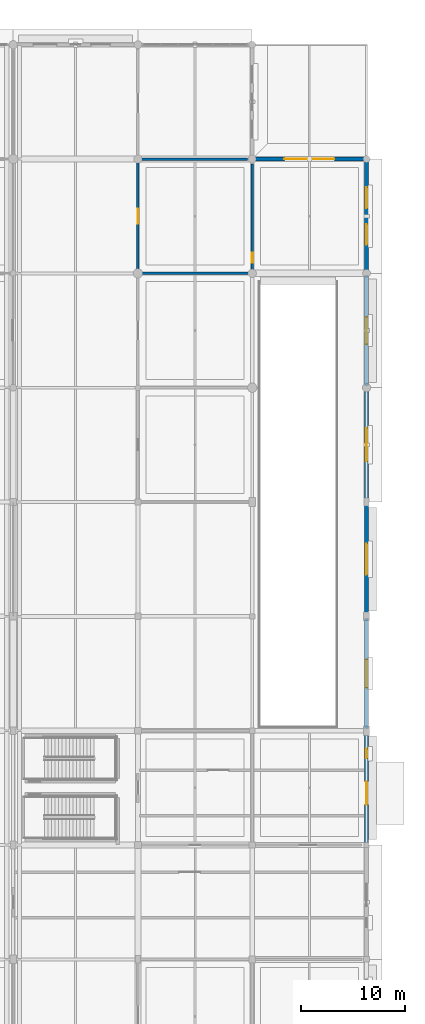
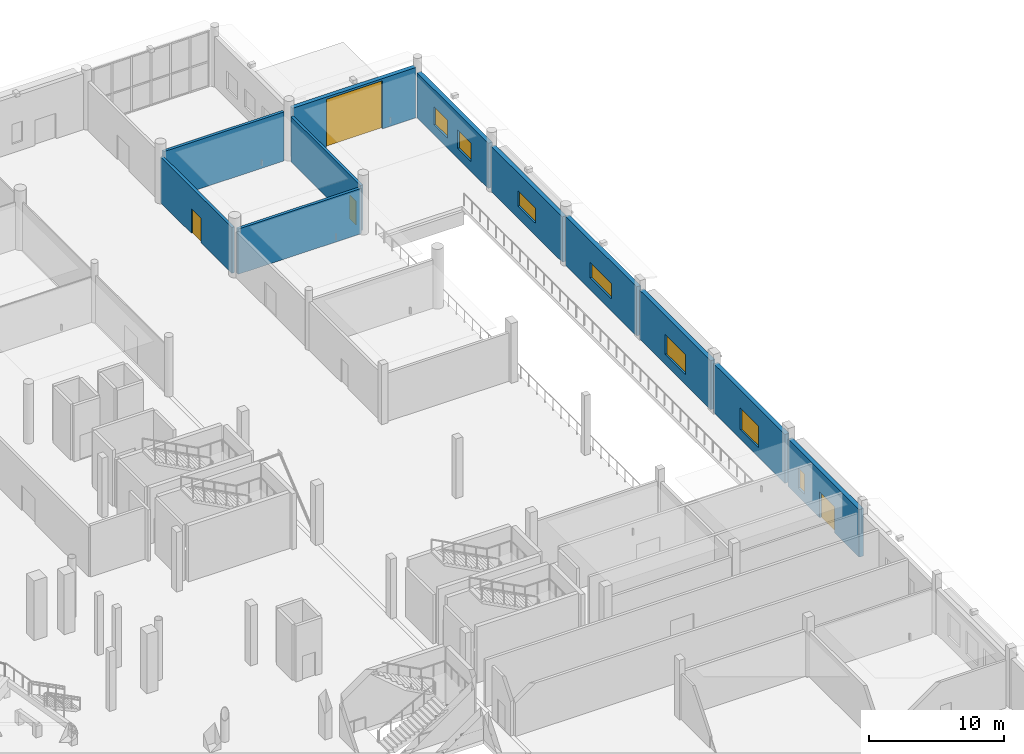
# One storey, part 68 of 120: 11 walls, 7 windows, 4 doors, 11 openings.
"""IFC4 building model written with IfcOpenShell, lengths in metres."""

from ifc_helpers import new_model, si_unit, direction, frame, frame_2d, origin, place, context, subcontext, project, spatial, rectangle, extrude, material, layer, layer_set, type_object, element, fill, save


model = new_model("IFC4")

# Units and contexts
model_context = context("Model", 3, precision=1e-05, world=origin(), true_north=direction((0.0, 1.0)))
body_context = subcontext(model_context, "Body", "Model", "MODEL_VIEW")
ifc_project = project(units=[si_unit("LENGTHUNIT", "METRE"), si_unit("AREAUNIT", "SQUARE_METRE"), si_unit("VOLUMEUNIT", "CUBIC_METRE"), si_unit("PLANEANGLEUNIT", "RADIAN"), si_unit("MASSUNIT", "GRAM", prefix="KILO")], contexts=[model_context])

# Site, building, storey
site_placement = place(None, origin())
site = spatial("IfcSite", under=ifc_project, at=site_placement, CompositionType="ELEMENT")
building_placement = place(site_placement, origin())
building = spatial("IfcBuilding", under=site, at=building_placement, Name="Luwafu Chhajja Arena", CompositionType="ELEMENT")
storey_placement = place(building_placement, origin())
storey = spatial("IfcBuildingStorey", under=building, at=storey_placement, Name="L00", CompositionType="ELEMENT", Elevation=0.0)

# Wall, opening, door
ifc_material_1 = material(Name="Concrete blockwork masonry", Category="masonry")
ifc_layer_1 = layer(ifc_material_1, 0.239990234375, Name="Concrete blockwork masonry")
ifc_layer_set_1 = layer_set([ifc_layer_1], Name="Concrete blockwork masonry")
wall_type_1 = type_object("IfcWallType", Name="Compartment Masonry Partition 240", PredefinedType="PARTITIONING", material=ifc_layer_set_1)
wall_1_placement = place(storey_placement, frame((176.0, 110.219970703125, 0.0), z_axis=(0.0, 0.0, 1.0), x_axis=(0.0, 1.0, 0.0)))
wall_1 = element("IfcWall", 1, at=wall_1_placement, inside=storey, type_object=wall_type_1, Name="L00 Internal Partition 0185", PredefinedType="PARTITIONING", context=body_context, shape_type="SweptSolid", body=[
    extrude(rectangle(XDim=10.56005859375, YDim=0.239990234375, at=frame_2d((5.280029296875, 0.0))), origin(), (0.0, 0.0, 1.0), 4.14990234375),
])
opening_1_placement = place(wall_1_placement, frame((4.570068359375, 0.0, 0.0)))
opening_1 = element("IfcOpeningElement", 2, at=opening_1_placement, cuts=wall_1, Name="Opening DR-12", PredefinedType="OPENING", context=body_context, shape_type="SweptSolid", body=[
    extrude(rectangle(XDim=1.419921875, YDim=2.25, at=frame_2d((0.7099609375, 1.125))), frame((0.0, 0.1298828125, 0.0), z_axis=(0.0, -1.0, 0.0), x_axis=(1.0, 0.0, 0.0)), (0.0, 0.0, 1.0), 0.260009765625),
])
ifc_material_2 = material(Name="Powder-coated steel fire leaf", Category="steel")
door_type_1 = type_object("IfcDoorType", Name="DR-12", OperationType="NOTDEFINED", PredefinedType="DOOR", material=ifc_material_2)
door_1_placement = place(opening_1_placement, origin())
door_1 = element("IfcDoor", 3, at=door_1_placement, inside=storey, type_object=door_type_1, Name="L00 Interior Door L00-D056", OperationType="SINGLE_SWING_LEFT", OverallHeight=2.25, OverallWidth=1.419921875, PredefinedType="DOOR", context=body_context, shape_type="SweptSolid", body=[
    extrude(rectangle(XDim=1.419921875, YDim=2.25, at=frame_2d((0.7099609375, 1.125))), frame((0.0, 0.02490234375, 0.0), z_axis=(0.0, -1.0, 0.0), x_axis=(1.0, 0.0, 0.0)), (0.0, 0.0, 1.0), 0.050048828125),
])
fill(opening_1, door_1)

# Walls
wall_2_placement = place(storey_placement, frame((176.219970703125, 110.0, 0.0), z_axis=(0.0, 0.0, 1.0), x_axis=(1.0, 0.0, 0.0)))
element("IfcWall", 4, at=wall_2_placement, inside=storey, type_object=wall_type_1, Name="L00 Internal Partition 0212", PredefinedType="PARTITIONING", context=body_context, shape_type="SweptSolid", body=[
    extrude(rectangle(XDim=10.56005859375, YDim=0.239990234375, at=frame_2d((5.280029296875, 0.0))), origin(), (0.0, 0.0, 1.0), 4.10009765625),
])
wall_3_placement = place(storey_placement, frame((176.219970703125, 121.0, 0.0), z_axis=(0.0, 0.0, 1.0), x_axis=(1.0, 0.0, 0.0)))
element("IfcWall", 5, at=wall_3_placement, inside=storey, type_object=wall_type_1, Name="L00 Internal Partition 0213", PredefinedType="PARTITIONING", context=body_context, shape_type="SweptSolid", body=[
    extrude(rectangle(XDim=10.300048828125, YDim=0.239990234375, at=frame_2d((5.14990234375, 0.0))), origin(), (0.0, 0.0, 1.0), 4.437744140625),
])

# Wall, opening, door
ifc_layer_2 = layer(ifc_material_1, 0.219970703125, Name="Concrete blockwork masonry")
ifc_layer_set_2 = layer_set([ifc_layer_2], Name="Concrete blockwork masonry")
wall_type_2 = type_object("IfcWallType", Name="Protected Corridor Partition 220", PredefinedType="PARTITIONING", material=ifc_layer_set_2)
wall_4_placement = place(storey_placement, frame((187.0, 110.219970703125, 0.0), z_axis=(0.0, 0.0, 1.0), x_axis=(0.0, 1.0, 0.0)))
wall_4 = element("IfcWall", 6, at=wall_4_placement, inside=storey, type_object=wall_type_2, Name="L00 Internal Partition 0214", PredefinedType="PARTITIONING", context=body_context, shape_type="SweptSolid", body=[
    extrude(rectangle(XDim=10.300048828125, YDim=0.219970703125, at=frame_2d((5.14990234375, 0.0))), origin(), (0.0, 0.0, 1.0), 4.10009765625),
])
opening_2_placement = place(wall_4_placement, frame((0.8173828125, 0.0, 0.0)))
opening_2 = element("IfcOpeningElement", 7, at=opening_2_placement, cuts=wall_4, Name="Opening DR-17", PredefinedType="OPENING", context=body_context, shape_type="SweptSolid", body=[
    extrude(rectangle(XDim=0.93994140625, YDim=2.14990234375, at=frame_2d((0.469970703125, 1.074951171875))), frame((0.0, 0.119873046875, 0.0), z_axis=(0.0, -1.0, 0.0), x_axis=(1.0, 0.0, 0.0)), (0.0, 0.0, 1.0), 0.239990234375),
])
ifc_material_3 = material(Name="Acoustic steel-core timber door", Category="steel")
door_type_2 = type_object("IfcDoorType", Name="DR-17", OperationType="NOTDEFINED", PredefinedType="DOOR", material=ifc_material_3)
door_2_placement = place(opening_2_placement, origin())
door_2 = element("IfcDoor", 8, at=door_2_placement, inside=storey, type_object=door_type_2, Name="L00 Interior Door L00-D063", OperationType="SINGLE_SWING_LEFT", OverallHeight=2.14990234375, OverallWidth=0.93994140625, PredefinedType="DOOR", context=body_context, shape_type="SweptSolid", body=[
    extrude(rectangle(XDim=0.93994140625, YDim=2.14990234375, at=frame_2d((0.469970703125, 1.074951171875))), frame((0.0, 0.02490234375, 0.0), z_axis=(0.0, -1.0, 0.0), x_axis=(1.0, 0.0, 0.0)), (0.0, 0.0, 1.0), 0.050048828125),
])
fill(opening_2, door_2)

# Wall, openings, door, window
ifc_material_4 = material(Name="Concrete C35/45", Category="concrete")
ifc_layer_3 = layer(ifc_material_4, 0.360107421875, Name="Concrete C35/45")
ifc_layer_set_3 = layer_set([ifc_layer_3], Name="Concrete C35/45")
wall_type_3 = type_object("IfcWallType", Name="Sandstone Backed Exterior Wall 360", PredefinedType="SOLIDWALL", material=ifc_layer_set_3)
wall_5_placement = place(storey_placement, frame((198.0, 55.2099609375, 0.0), z_axis=(0.0, 0.0, 1.0), x_axis=(0.0, 1.0, 0.0)))
wall_5 = element("IfcWall", 9, at=wall_5_placement, inside=storey, type_object=wall_type_3, Name="L00 Exterior Wall WEX-L00-097", PredefinedType="SOLIDWALL", context=body_context, shape_type="SweptSolid", body=[
    extrude(rectangle(XDim=10.570068359375, YDim=0.360107421875, at=frame_2d((5.28515625, 0.0))), origin(), (0.0, 0.0, 1.0), 4.300048828125),
])
opening_3_placement = place(wall_5_placement, frame((3.68994140625, 0.0, 0.0)))
opening_3 = element("IfcOpeningElement", 10, at=opening_3_placement, cuts=wall_5, Name="Opening DR-03", PredefinedType="OPENING", context=body_context, shape_type="SweptSolid", body=[
    extrude(rectangle(XDim=2.199951171875, YDim=2.35009765625, at=frame_2d((1.10009765625, 1.175048828125))), frame((0.0, 0.18994140625, 0.0), z_axis=(0.0, -1.0, 0.0), x_axis=(1.0, 0.0, 0.0)), (0.0, 0.0, 1.0), 0.380126953125),
])
opening_4_placement = place(wall_5_placement, frame((8.13818359375, 0.0, 0.800048828125)))
opening_4 = element("IfcOpeningElement", 11, at=opening_4_placement, cuts=wall_5, Name="Opening WN-16", PredefinedType="OPENING", context=body_context, shape_type="SweptSolid", body=[
    extrude(rectangle(XDim=0.89990234375, YDim=1.800048828125, at=frame_2d((0.449951171875, 0.89990234375))), frame((0.0, 0.18994140625, 0.0), z_axis=(0.0, -1.0, 0.0), x_axis=(1.0, 0.0, 0.0)), (0.0, 0.0, 1.0), 0.380126953125),
])
ifc_material_5 = material(Name="Fire-rated bronze aluminium and glazed vision leaves", Category="aluminium")
door_type_3 = type_object("IfcDoorType", Name="DR-03", OperationType="DOUBLE_DOOR_SINGLE_SWING", PredefinedType="DOOR", material=ifc_material_5)
door_3_placement = place(opening_3_placement, frame((2.199951171875, 0.0, 0.0), z_axis=(0.0, 0.0, 1.0), x_axis=(-1.0, 0.0, 0.0)))
door_3 = element("IfcDoor", 12, at=door_3_placement, inside=storey, type_object=door_type_3, Name="Stair Exit Discharge Door SX-26", OperationType="DOUBLE_DOOR_SINGLE_SWING", OverallHeight=2.35009765625, OverallWidth=2.199951171875, PredefinedType="DOOR", context=body_context, shape_type="SweptSolid", body=[
    extrude(rectangle(XDim=2.199951171875, YDim=2.35009765625, at=frame_2d((1.10009765625, 1.175048828125))), frame((0.0, 0.02490234375, 0.0), z_axis=(0.0, -1.0, 0.0), x_axis=(1.0, 0.0, 0.0)), (0.0, 0.0, 1.0), 0.050048828125),
])
fill(opening_3, door_3)
ifc_material_6 = material(Name="Solar-control laminated glass", Category="glass")
window_type_1 = type_object("IfcWindowType", Name="Stair Core Daylight Slot Window 900x1800", PartitioningType="SINGLE_PANEL", PredefinedType="WINDOW", material=ifc_material_6)
window_1_placement = place(opening_4_placement, origin())
window_1 = element("IfcWindow", 13, at=window_1_placement, inside=storey, type_object=window_type_1, Name="L00 Facade Window 299", OverallHeight=1.800048828125, OverallWidth=0.89990234375, PartitioningType="SINGLE_PANEL", PredefinedType="WINDOW", context=body_context, shape_type="SweptSolid", body=[
    extrude(rectangle(XDim=0.89990234375, YDim=1.800048828125, at=frame_2d((0.449951171875, 0.89990234375))), frame((0.0, 0.030029296875, 0.0), z_axis=(0.0, -1.0, 0.0), x_axis=(1.0, 0.0, 0.0)), (0.0, 0.0, 1.0), 0.06005859375),
])
fill(opening_4, window_1)

# Wall, opening, window
wall_6_placement = place(storey_placement, frame((198.0, 66.219970703125, 0.0), z_axis=(0.0, 0.0, 1.0), x_axis=(0.0, 1.0, 0.0)))
wall_6 = element("IfcWall", 14, at=wall_6_placement, inside=storey, type_object=wall_type_3, Name="L00 Exterior Wall WEX-L00-098", PredefinedType="SOLIDWALL", context=body_context, shape_type="SweptSolid", body=[
    extrude(rectangle(XDim=10.56005859375, YDim=0.360107421875, at=frame_2d((5.280029296875, 0.0))), origin(), (0.0, 0.0, 1.0), 4.4296875),
])
opening_5_placement = place(wall_6_placement, frame((3.929931640625, 0.0, 0.85009765625)))
opening_5 = element("IfcOpeningElement", 15, at=opening_5_placement, cuts=wall_6, Name="Opening WN-06", PredefinedType="OPENING", context=body_context, shape_type="SweptSolid", body=[
    extrude(rectangle(XDim=2.699951171875, YDim=1.949951171875, at=frame_2d((1.35009765625, 0.97509765625))), frame((0.0, 0.18994140625, 0.0), z_axis=(0.0, -1.0, 0.0), x_axis=(1.0, 0.0, 0.0)), (0.0, 0.0, 1.0), 0.380126953125),
])
window_type_2 = type_object("IfcWindowType", Name="Hospitality Suite Picture Window 2700x1950", PartitioningType="SINGLE_PANEL", PredefinedType="WINDOW", material=ifc_material_6)
window_2_placement = place(opening_5_placement, origin())
window_2 = element("IfcWindow", 16, at=window_2_placement, inside=storey, type_object=window_type_2, Name="L00 Facade Window 300", OverallHeight=1.949951171875, OverallWidth=2.699951171875, PartitioningType="SINGLE_PANEL", PredefinedType="WINDOW", context=body_context, shape_type="SweptSolid", body=[
    extrude(rectangle(XDim=2.699951171875, YDim=1.949951171875, at=frame_2d((1.35009765625, 0.97509765625))), frame((0.0, 0.030029296875, 0.0), z_axis=(0.0, -1.0, 0.0), x_axis=(1.0, 0.0, 0.0)), (0.0, 0.0, 1.0), 0.06005859375),
])
fill(opening_5, window_2)

wall_7_placement = place(storey_placement, frame((198.0, 77.219970703125, 0.0), z_axis=(0.0, 0.0, 1.0), x_axis=(0.0, 1.0, 0.0)))
wall_7 = element("IfcWall", 17, at=wall_7_placement, inside=storey, type_object=wall_type_3, Name="L00 Exterior Wall WEX-L00-099", PredefinedType="SOLIDWALL", context=body_context, shape_type="SweptSolid", body=[
    extrude(rectangle(XDim=10.56005859375, YDim=0.360107421875, at=frame_2d((5.280029296875, 0.0))), origin(), (0.0, 0.0, 1.0), 4.4296875),
])
opening_6_placement = place(wall_7_placement, frame((3.780029296875, 0.0, 0.89990234375)))
opening_6 = element("IfcOpeningElement", 18, at=opening_6_placement, cuts=wall_7, Name="Opening WN-07", PredefinedType="OPENING", context=body_context, shape_type="SweptSolid", body=[
    extrude(rectangle(XDim=3.0, YDim=1.800048828125, at=frame_2d((1.5, 0.89990234375))), frame((0.0, 0.18994140625, 0.0), z_axis=(0.0, -1.0, 0.0), x_axis=(1.0, 0.0, 0.0)), (0.0, 0.0, 1.0), 0.380126953125),
])
window_type_3 = type_object("IfcWindowType", Name="Hospitality Lounge Ribbon Window 3000x1800", PartitioningType="SINGLE_PANEL", PredefinedType="WINDOW", material=ifc_material_6)
window_3_placement = place(opening_6_placement, origin())
window_3 = element("IfcWindow", 19, at=window_3_placement, inside=storey, type_object=window_type_3, Name="L00 Facade Window 301", OverallHeight=1.800048828125, OverallWidth=3.0, PartitioningType="SINGLE_PANEL", PredefinedType="WINDOW", context=body_context, shape_type="SweptSolid", body=[
    extrude(rectangle(XDim=3.0, YDim=1.800048828125, at=frame_2d((1.5, 0.89990234375))), frame((0.0, 0.030029296875, 0.0), z_axis=(0.0, -1.0, 0.0), x_axis=(1.0, 0.0, 0.0)), (0.0, 0.0, 1.0), 0.06005859375),
])
fill(opening_6, window_3)

wall_8_placement = place(storey_placement, frame((198.0, 88.219970703125, 0.0), z_axis=(0.0, 0.0, 1.0), x_axis=(0.0, 1.0, 0.0)))
wall_8 = element("IfcWall", 20, at=wall_8_placement, inside=storey, type_object=wall_type_3, Name="L00 Exterior Wall WEX-L00-100", PredefinedType="SOLIDWALL", context=body_context, shape_type="SweptSolid", body=[
    extrude(rectangle(XDim=10.56005859375, YDim=0.360107421875, at=frame_2d((5.280029296875, 0.0))), origin(), (0.0, 0.0, 1.0), 4.449951171875),
])
opening_7_placement = place(wall_8_placement, frame((3.679931640625, 0.0, 1.10009765625)))
opening_7 = element("IfcOpeningElement", 21, at=opening_7_placement, cuts=wall_8, Name="Opening WN-08", PredefinedType="OPENING", context=body_context, shape_type="SweptSolid", body=[
    extrude(rectangle(XDim=3.199951171875, YDim=1.39990234375, at=frame_2d((1.60009765625, 0.699951171875))), frame((0.0, 0.18994140625, 0.0), z_axis=(0.0, -1.0, 0.0), x_axis=(1.0, 0.0, 0.0)), (0.0, 0.0, 1.0), 0.380126953125),
])
window_type_4 = type_object("IfcWindowType", Name="Warm-Up Court Clerestory Window 3200x1400", PartitioningType="SINGLE_PANEL", PredefinedType="WINDOW", material=ifc_material_6)
window_4_placement = place(opening_7_placement, origin())
window_4 = element("IfcWindow", 22, at=window_4_placement, inside=storey, type_object=window_type_4, Name="L00 Facade Window 302", OverallHeight=1.39990234375, OverallWidth=3.199951171875, PartitioningType="SINGLE_PANEL", PredefinedType="WINDOW", context=body_context, shape_type="SweptSolid", body=[
    extrude(rectangle(XDim=3.199951171875, YDim=1.39990234375, at=frame_2d((1.60009765625, 0.699951171875))), frame((0.0, 0.030029296875, 0.0), z_axis=(0.0, -1.0, 0.0), x_axis=(1.0, 0.0, 0.0)), (0.0, 0.0, 1.0), 0.06005859375),
])
fill(opening_7, window_4)

wall_9_placement = place(storey_placement, frame((198.0, 99.219970703125, 0.0), z_axis=(0.0, 0.0, 1.0), x_axis=(0.0, 1.0, 0.0)))
wall_9 = element("IfcWall", 23, at=wall_9_placement, inside=storey, type_object=wall_type_3, Name="L00 Exterior Wall WEX-L00-101", PredefinedType="SOLIDWALL", context=body_context, shape_type="SweptSolid", body=[
    extrude(rectangle(XDim=10.56005859375, YDim=0.360107421875, at=frame_2d((5.280029296875, 0.0))), origin(), (0.0, 0.0, 1.0), 4.10009765625),
])
opening_8_placement = place(wall_9_placement, frame((3.97998046875, 0.0, 1.10009765625)))
opening_8 = element("IfcOpeningElement", 24, at=opening_8_placement, cuts=wall_9, Name="Opening WN-09", PredefinedType="OPENING", context=body_context, shape_type="SweptSolid", body=[
    extrude(rectangle(XDim=2.60009765625, YDim=1.39990234375, at=frame_2d((1.300048828125, 0.699951171875))), frame((0.0, 0.18994140625, 0.0), z_axis=(0.0, -1.0, 0.0), x_axis=(1.0, 0.0, 0.0)), (0.0, 0.0, 1.0), 0.380126953125),
])
window_type_5 = type_object("IfcWindowType", Name="Warm-Up Court High Window 2600x1400", PartitioningType="SINGLE_PANEL", PredefinedType="WINDOW", material=ifc_material_6)
window_5_placement = place(opening_8_placement, origin())
window_5 = element("IfcWindow", 25, at=window_5_placement, inside=storey, type_object=window_type_5, Name="L00 Facade Window 303", OverallHeight=1.39990234375, OverallWidth=2.60009765625, PartitioningType="SINGLE_PANEL", PredefinedType="WINDOW", context=body_context, shape_type="SweptSolid", body=[
    extrude(rectangle(XDim=2.60009765625, YDim=1.39990234375, at=frame_2d((1.300048828125, 0.699951171875))), frame((0.0, 0.030029296875, 0.0), z_axis=(0.0, -1.0, 0.0), x_axis=(1.0, 0.0, 0.0)), (0.0, 0.0, 1.0), 0.06005859375),
])
fill(opening_8, window_5)

# Wall, opening, door
wall_10_placement = place(storey_placement, frame((187.219970703125, 121.0, 0.0), z_axis=(0.0, 0.0, 1.0), x_axis=(1.0, 0.0, 0.0)))
wall_10 = element("IfcWall", 26, at=wall_10_placement, inside=storey, type_object=wall_type_3, Name="L00 Exterior Wall WEX-L00-102", PredefinedType="SOLIDWALL", context=body_context, shape_type="SweptSolid", body=[
    extrude(rectangle(XDim=10.56005859375, YDim=0.360107421875, at=frame_2d((5.280029296875, 0.0))), origin(), (0.0, 0.0, 1.0), 4.550048828125),
])
opening_9_placement = place(wall_10_placement, frame((2.8798828125, 0.0, 0.0)))
opening_9 = element("IfcOpeningElement", 27, at=opening_9_placement, cuts=wall_10, Name="Opening SH-01", PredefinedType="OPENING", context=body_context, shape_type="SweptSolid", body=[
    extrude(rectangle(XDim=4.800048828125, YDim=4.35009765625, at=frame_2d((2.39990234375, 2.175048828125))), frame((0.0, 0.18994140625, 0.0), z_axis=(0.0, -1.0, 0.0), x_axis=(1.0, 0.0, 0.0)), (0.0, 0.0, 1.0), 0.380126953125),
])
ifc_material_7 = material(Name="Galvanised steel roller shutter slats", Category="steel")
door_type_4 = type_object("IfcDoorType", Name="SH-01", OperationType="ROLLINGUP", PredefinedType="DOOR", material=ifc_material_7)
door_4_placement = place(opening_9_placement, origin())
door_4 = element("IfcDoor", 28, at=door_4_placement, inside=storey, type_object=door_type_4, Name="Loading Dock Roller Shutter Gate VG-01", OperationType="ROLLINGUP", OverallHeight=4.35009765625, OverallWidth=4.800048828125, PredefinedType="DOOR", context=body_context, shape_type="SweptSolid", body=[
    extrude(rectangle(XDim=4.800048828125, YDim=4.35009765625, at=frame_2d((2.39990234375, 2.175048828125))), frame((0.0, 0.02490234375, 0.0), z_axis=(0.0, -1.0, 0.0), x_axis=(1.0, 0.0, 0.0)), (0.0, 0.0, 1.0), 0.050048828125),
])
fill(opening_9, door_4)

# Wall, openings, windows
wall_11_placement = place(storey_placement, frame((198.0, 110.219970703125, 0.0), z_axis=(0.0, 0.0, 1.0), x_axis=(0.0, 1.0, 0.0)))
wall_11 = element("IfcWall", 29, at=wall_11_placement, inside=storey, type_object=wall_type_3, Name="L00 Exterior Wall WEX-L00-103", PredefinedType="SOLIDWALL", context=body_context, shape_type="SweptSolid", body=[
    extrude(rectangle(XDim=10.56005859375, YDim=0.360107421875, at=frame_2d((5.280029296875, 0.0))), origin(), (0.0, 0.0, 1.0), 4.10009765625),
])
opening_10_placement = place(wall_11_placement, frame((2.52001953125, 0.0, 0.89990234375)))
opening_10 = element("IfcOpeningElement", 30, at=opening_10_placement, cuts=wall_11, Name="Opening WN-10", PredefinedType="OPENING", context=body_context, shape_type="SweptSolid", body=[
    extrude(rectangle(XDim=2.0, YDim=1.64990234375, at=frame_2d((1.0, 0.824951171875))), frame((0.0, 0.18994140625, 0.0), z_axis=(0.0, -1.0, 0.0), x_axis=(1.0, 0.0, 0.0)), (0.0, 0.0, 1.0), 0.380126953125),
])
opening_11_placement = place(wall_11_placement, frame((6.0400390625, 0.0, 0.89990234375)))
opening_11 = element("IfcOpeningElement", 31, at=opening_11_placement, cuts=wall_11, Name="Opening WN-10", PredefinedType="OPENING", context=body_context, shape_type="SweptSolid", body=[
    extrude(rectangle(XDim=2.0, YDim=1.64990234375, at=frame_2d((1.0, 0.824951171875))), frame((0.0, 0.18994140625, 0.0), z_axis=(0.0, -1.0, 0.0), x_axis=(1.0, 0.0, 0.0)), (0.0, 0.0, 1.0), 0.380126953125),
])
window_type_6 = type_object("IfcWindowType", Name="Community Classroom Window 2000x1650", PartitioningType="SINGLE_PANEL", PredefinedType="WINDOW", material=ifc_material_6)
window_6_placement = place(opening_10_placement, origin())
window_6 = element("IfcWindow", 32, at=window_6_placement, inside=storey, type_object=window_type_6, Name="L00 Facade Window 304", OverallHeight=1.64990234375, OverallWidth=2.0, PartitioningType="SINGLE_PANEL", PredefinedType="WINDOW", context=body_context, shape_type="SweptSolid", body=[
    extrude(rectangle(XDim=2.0, YDim=1.64990234375, at=frame_2d((1.0, 0.824951171875))), frame((0.0, 0.030029296875, 0.0), z_axis=(0.0, -1.0, 0.0), x_axis=(1.0, 0.0, 0.0)), (0.0, 0.0, 1.0), 0.06005859375),
])
fill(opening_10, window_6)
window_7_placement = place(opening_11_placement, origin())
window_7 = element("IfcWindow", 33, at=window_7_placement, inside=storey, type_object=window_type_6, Name="L00 Facade Window 305", OverallHeight=1.64990234375, OverallWidth=2.0, PartitioningType="SINGLE_PANEL", PredefinedType="WINDOW", context=body_context, shape_type="SweptSolid", body=[
    extrude(rectangle(XDim=2.0, YDim=1.64990234375, at=frame_2d((1.0, 0.824951171875))), frame((0.0, 0.030029296875, 0.0), z_axis=(0.0, -1.0, 0.0), x_axis=(1.0, 0.0, 0.0)), (0.0, 0.0, 1.0), 0.06005859375),
])
fill(opening_11, window_7)

save(model, "model.ifc")
